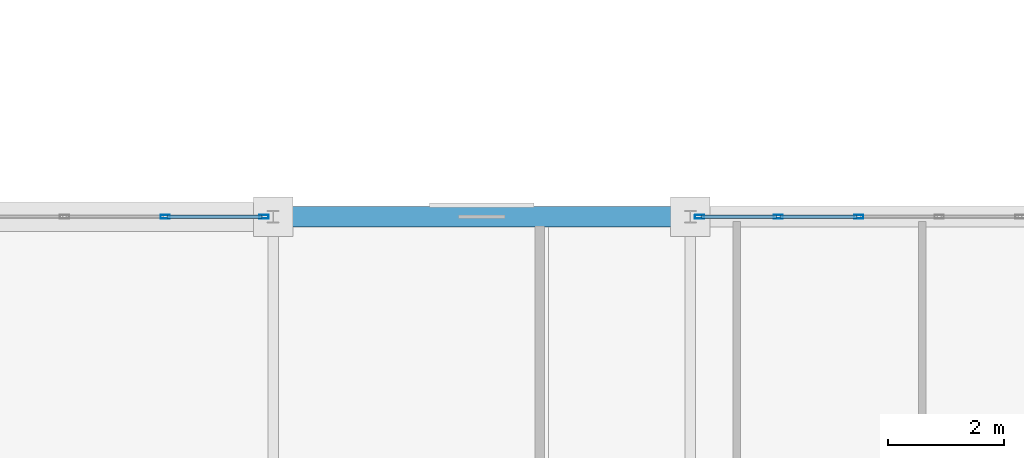
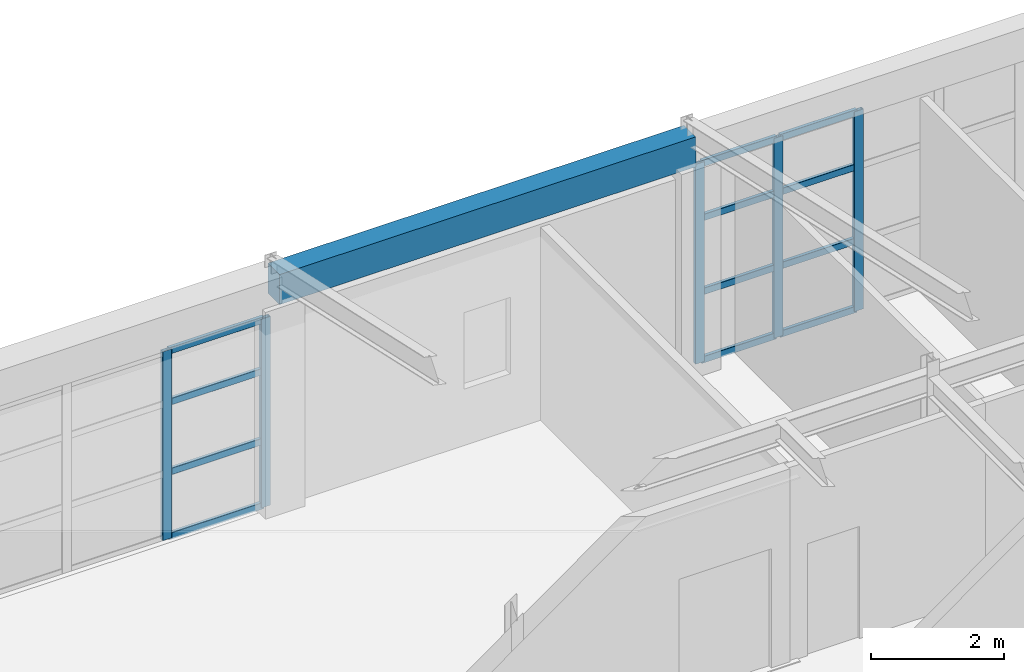
# One storey, part 68 of 101: 17 members, 1 beam, 2 elements without a shape of their own.
"""IFC4 building model written with IfcOpenShell, lengths in metres."""

from ifc_helpers import new_model, si_unit, direction, frame, origin, origin_2d, place, context, subcontext, project, spatial, rectangle, hollow_rectangle, extrude, material, layer, layer_set, material_profile, profile_set, type_object, element, aggregate, save


model = new_model("IFC4")

# Units and contexts
model_context = context("Model", 3, precision=1e-05, world=origin(), true_north=direction((0.0, 1.0)))
body_context = subcontext(model_context, "Body", "Model", "MODEL_VIEW")
ifc_project = project(units=[si_unit("LENGTHUNIT", "METRE"), si_unit("AREAUNIT", "SQUARE_METRE"), si_unit("VOLUMEUNIT", "CUBIC_METRE"), si_unit("PLANEANGLEUNIT", "RADIAN"), si_unit("MASSUNIT", "GRAM", prefix="KILO")], contexts=[model_context])

# Site, building, storey
site_placement = place(None, origin())
site = spatial("IfcSite", under=ifc_project, at=site_placement, CompositionType="ELEMENT")
building_placement = place(site_placement, origin())
building = spatial("IfcBuilding", under=site, at=building_placement, Name="Kemerveld Promenade Tramway Depot", CompositionType="ELEMENT")
storey_placement = place(building_placement, frame((0.0, 0.0, 9.89990234375)))
storey = spatial("IfcBuildingStorey", under=building, at=storey_placement, Name="L02", CompositionType="ELEMENT", Elevation=9.89990234375)

# Beam
ifc_material_1 = material(Name="Concrete C40/50", Category="concrete")
ifc_material_profile_1 = material_profile(ifc_material_1, rectangle(XDim=0.35009765625, YDim=0.550048828125, at=origin_2d()), Name="RC-BM-350x550")
ifc_profile_set_1 = profile_set([ifc_material_profile_1], Name="Concrete C40/50")
beam_type = type_object("IfcBeamType", Name="BM-RC3", PredefinedType="BEAM", material=ifc_profile_set_1)
beam_placement = place(storey_placement, frame((115.199951171875, 28.800048828125, 4.0), z_axis=(1.0, 0.0, 0.0), x_axis=(0.0, 1.0, 0.0)))
element("IfcBeam", 1, at=beam_placement, inside=storey, type_object=beam_type, Name="BMX-L02-17-18-E", PredefinedType="BEAM", context=body_context, shape_type="SweptSolid", body=[
    extrude(rectangle(XDim=0.35009765625, YDim=0.550048828125, at=origin_2d()), origin(), (0.0, 0.0, 1.0), 7.199951171875),
])

# Curtain wall, members
ifc_material_2 = material(Name="Bronze anodised aluminium and solar glass", Category="aluminium")
ifc_layer_1 = layer(ifc_material_2, 0.159912109375)
ifc_layer_set_1 = layer_set([ifc_layer_1], Name="CW-SYS-11")
curtain_wall_type_1 = type_object("IfcCurtainWallType", Name="CW-SYS-11", PredefinedType="USERDEFINED", material=ifc_layer_set_1)
curtain_wall_1_placement = place(storey_placement, origin())
curtain_wall_1 = element("IfcCurtainWall", 2, at=curtain_wall_1_placement, inside=storey, type_object=curtain_wall_type_1, Name="CW-L02-V4N-08", ObjectType="GLAZED_CURTAIN_WALL", PredefinedType="USERDEFINED")
ifc_material_3 = material(Name="Bronze anodised aluminium", Category="aluminium")
ifc_material_profile_2 = material_profile(ifc_material_3, hollow_rectangle(XDim=0.06494140625, YDim=0.159912109375, WallThickness=0.00390625, InnerFilletRadius=0.001953125, OuterFilletRadius=0.00390625, at=origin_2d()), Name="CW-MUL-160x65")
ifc_profile_set_2 = profile_set([ifc_material_profile_2], Name="Bronze anodised aluminium")
member_type_1 = type_object("IfcMemberType", Name="CW-MUL-A", PredefinedType="MULLION", material=ifc_profile_set_2)
member_1_placement = place(storey_placement, frame((113.337646484375, 28.800048828125, 0.0), z_axis=(0.0, 0.0, 1.0), x_axis=(0.0, 1.0, 0.0)))
member_1 = element("IfcMember", 3, at=member_1_placement, type_object=member_type_1, Name="CW11 mullion 4", PredefinedType="MULLION", context=body_context, shape_type="SweptSolid", body=[
    extrude(hollow_rectangle(XDim=0.06494140625, YDim=0.159912109375, WallThickness=0.00390625, InnerFilletRadius=0.001953125, OuterFilletRadius=0.00390625, at=origin_2d()), origin(), (0.0, 0.0, 1.0), 3.455078125),
])
member_2_placement = place(storey_placement, frame((115.042724609375, 28.800048828125, 0.0), z_axis=(0.0, 0.0, 1.0), x_axis=(0.0, 1.0, 0.0)))
member_2 = element("IfcMember", 4, at=member_2_placement, type_object=member_type_1, Name="CW11 mullion 5", PredefinedType="MULLION", context=body_context, shape_type="SweptSolid", body=[
    extrude(hollow_rectangle(XDim=0.06494140625, YDim=0.159912109375, WallThickness=0.00390625, InnerFilletRadius=0.001953125, OuterFilletRadius=0.00390625, at=origin_2d()), origin(), (0.0, 0.0, 1.0), 3.455078125),
])

ifc_layer_2 = layer(ifc_material_2, 0.159912109375)
ifc_layer_set_2 = layer_set([ifc_layer_2], Name="CW-SYS-13")
curtain_wall_type_2 = type_object("IfcCurtainWallType", Name="CW-SYS-13", PredefinedType="USERDEFINED", material=ifc_layer_set_2)
curtain_wall_2_placement = place(storey_placement, origin())
curtain_wall_2 = element("IfcCurtainWall", 5, at=curtain_wall_2_placement, inside=storey, type_object=curtain_wall_type_2, Name="CW-L02-V4N-10", ObjectType="GLAZED_CURTAIN_WALL", PredefinedType="USERDEFINED")
member_3_placement = place(storey_placement, frame((122.557373046875, 28.800048828125, 0.0), z_axis=(0.0, 0.0, 1.0), x_axis=(0.0, 1.0, 0.0)))
member_3 = element("IfcMember", 6, at=member_3_placement, type_object=member_type_1, Name="CW13 mullion 1", PredefinedType="MULLION", context=body_context, shape_type="SweptSolid", body=[
    extrude(hollow_rectangle(XDim=0.06494140625, YDim=0.159912109375, WallThickness=0.00390625, InnerFilletRadius=0.001953125, OuterFilletRadius=0.00390625, at=origin_2d()), origin(), (0.0, 0.0, 1.0), 3.655029296875),
])
member_4_placement = place(storey_placement, frame((123.914794921875, 28.800048828125, 0.0), z_axis=(0.0, 0.0, 1.0), x_axis=(0.0, 1.0, 0.0)))
member_4 = element("IfcMember", 7, at=member_4_placement, type_object=member_type_1, Name="CW13 mullion 2", PredefinedType="MULLION", context=body_context, shape_type="SweptSolid", body=[
    extrude(hollow_rectangle(XDim=0.06494140625, YDim=0.159912109375, WallThickness=0.00390625, InnerFilletRadius=0.001953125, OuterFilletRadius=0.00390625, at=origin_2d()), origin(), (0.0, 0.0, 1.0), 3.655029296875),
])
member_5_placement = place(storey_placement, frame((125.304931640625, 28.800048828125, 0.0), z_axis=(0.0, 0.0, 1.0), x_axis=(0.0, 1.0, 0.0)))
member_5 = element("IfcMember", 8, at=member_5_placement, type_object=member_type_1, Name="CW13 mullion 3", PredefinedType="MULLION", context=body_context, shape_type="SweptSolid", body=[
    extrude(hollow_rectangle(XDim=0.06494140625, YDim=0.159912109375, WallThickness=0.00390625, InnerFilletRadius=0.001953125, OuterFilletRadius=0.00390625, at=origin_2d()), origin(), (0.0, 0.0, 1.0), 3.655029296875),
])

# Member
ifc_material_profile_3 = material_profile(ifc_material_3, hollow_rectangle(XDim=0.06005859375, YDim=0.1201171875, WallThickness=0.00390625, InnerFilletRadius=0.001953125, OuterFilletRadius=0.00390625, at=origin_2d()), Name="CW-TRN-120x60")
ifc_profile_set_3 = profile_set([ifc_material_profile_3], Name="Bronze anodised aluminium")
member_type_2 = type_object("IfcMemberType", Name="CW-TRN-A", PredefinedType="USERDEFINED", material=ifc_profile_set_3)
member_6_placement = place(storey_placement, frame((113.3701171875, 28.800048828125, 0.030029296875), z_axis=(1.0, 0.0, 0.0), x_axis=(0.0, 1.0, 0.0)))
member_6 = element("IfcMember", 9, at=member_6_placement, type_object=member_type_2, Name="CW11 transom 4.1", ObjectType="TRANSOM", PredefinedType="USERDEFINED", context=body_context, shape_type="SweptSolid", body=[
    extrude(hollow_rectangle(XDim=0.06005859375, YDim=0.1201171875, WallThickness=0.00390625, InnerFilletRadius=0.001953125, OuterFilletRadius=0.00390625, at=origin_2d()), origin(), (0.0, 0.0, 1.0), 1.64013671875),
])

member_7_placement = place(storey_placement, frame((113.3701171875, 28.800048828125, 1.208984375), z_axis=(1.0, 0.0, 0.0), x_axis=(0.0, 1.0, 0.0)))
member_7 = element("IfcMember", 10, at=member_7_placement, type_object=member_type_2, Name="CW11 transom 4.2", ObjectType="TRANSOM", PredefinedType="USERDEFINED", context=body_context, shape_type="SweptSolid", body=[
    extrude(hollow_rectangle(XDim=0.06005859375, YDim=0.1201171875, WallThickness=0.00390625, InnerFilletRadius=0.001953125, OuterFilletRadius=0.00390625, at=origin_2d()), origin(), (0.0, 0.0, 1.0), 1.64013671875),
])

member_8_placement = place(storey_placement, frame((113.3701171875, 28.800048828125, 2.488037109375), z_axis=(1.0, 0.0, 0.0), x_axis=(0.0, 1.0, 0.0)))
member_8 = element("IfcMember", 11, at=member_8_placement, type_object=member_type_2, Name="CW11 transom 4.3", ObjectType="TRANSOM", PredefinedType="USERDEFINED", context=body_context, shape_type="SweptSolid", body=[
    extrude(hollow_rectangle(XDim=0.06005859375, YDim=0.1201171875, WallThickness=0.00390625, InnerFilletRadius=0.001953125, OuterFilletRadius=0.00390625, at=origin_2d()), origin(), (0.0, 0.0, 1.0), 1.64013671875),
])

member_9_placement = place(storey_placement, frame((113.3701171875, 28.800048828125, 3.425048828125), z_axis=(1.0, 0.0, 0.0), x_axis=(0.0, 1.0, 0.0)))
member_9 = element("IfcMember", 12, at=member_9_placement, type_object=member_type_2, Name="CW11 transom 4.4", ObjectType="TRANSOM", PredefinedType="USERDEFINED", context=body_context, shape_type="SweptSolid", body=[
    extrude(hollow_rectangle(XDim=0.06005859375, YDim=0.1201171875, WallThickness=0.00390625, InnerFilletRadius=0.001953125, OuterFilletRadius=0.00390625, at=origin_2d()), origin(), (0.0, 0.0, 1.0), 1.64013671875),
])

aggregate(curtain_wall_1, [member_1, member_2, member_6, member_7, member_8, member_9])

member_10_placement = place(storey_placement, frame((122.58984375, 28.800048828125, 0.030029296875), z_axis=(1.0, 0.0, 0.0), x_axis=(0.0, 1.0, 0.0)))
member_10 = element("IfcMember", 13, at=member_10_placement, type_object=member_type_2, Name="CW13 transom 1.1", ObjectType="TRANSOM", PredefinedType="USERDEFINED", context=body_context, shape_type="SweptSolid", body=[
    extrude(hollow_rectangle(XDim=0.06005859375, YDim=0.1201171875, WallThickness=0.00390625, InnerFilletRadius=0.001953125, OuterFilletRadius=0.00390625, at=origin_2d()), origin(), (0.0, 0.0, 1.0), 1.29248046875),
])

member_11_placement = place(storey_placement, frame((122.58984375, 28.800048828125, 1.279052734375), z_axis=(1.0, 0.0, 0.0), x_axis=(0.0, 1.0, 0.0)))
member_11 = element("IfcMember", 14, at=member_11_placement, type_object=member_type_2, Name="CW13 transom 1.2", ObjectType="TRANSOM", PredefinedType="USERDEFINED", context=body_context, shape_type="SweptSolid", body=[
    extrude(hollow_rectangle(XDim=0.06005859375, YDim=0.1201171875, WallThickness=0.00390625, InnerFilletRadius=0.001953125, OuterFilletRadius=0.00390625, at=origin_2d()), origin(), (0.0, 0.0, 1.0), 1.29248046875),
])

member_12_placement = place(storey_placement, frame((122.58984375, 28.800048828125, 2.632080078125), z_axis=(1.0, 0.0, 0.0), x_axis=(0.0, 1.0, 0.0)))
member_12 = element("IfcMember", 15, at=member_12_placement, type_object=member_type_2, Name="CW13 transom 1.3", ObjectType="TRANSOM", PredefinedType="USERDEFINED", context=body_context, shape_type="SweptSolid", body=[
    extrude(hollow_rectangle(XDim=0.06005859375, YDim=0.1201171875, WallThickness=0.00390625, InnerFilletRadius=0.001953125, OuterFilletRadius=0.00390625, at=origin_2d()), origin(), (0.0, 0.0, 1.0), 1.29248046875),
])

member_13_placement = place(storey_placement, frame((122.58984375, 28.800048828125, 3.625), z_axis=(1.0, 0.0, 0.0), x_axis=(0.0, 1.0, 0.0)))
member_13 = element("IfcMember", 16, at=member_13_placement, type_object=member_type_2, Name="CW13 transom 1.4", ObjectType="TRANSOM", PredefinedType="USERDEFINED", context=body_context, shape_type="SweptSolid", body=[
    extrude(hollow_rectangle(XDim=0.06005859375, YDim=0.1201171875, WallThickness=0.00390625, InnerFilletRadius=0.001953125, OuterFilletRadius=0.00390625, at=origin_2d()), origin(), (0.0, 0.0, 1.0), 1.29248046875),
])

member_14_placement = place(storey_placement, frame((123.947265625, 28.800048828125, 0.030029296875), z_axis=(1.0, 0.0, 0.0), x_axis=(0.0, 1.0, 0.0)))
member_14 = element("IfcMember", 17, at=member_14_placement, type_object=member_type_2, Name="CW13 transom 2.1", ObjectType="TRANSOM", PredefinedType="USERDEFINED", context=body_context, shape_type="SweptSolid", body=[
    extrude(hollow_rectangle(XDim=0.06005859375, YDim=0.1201171875, WallThickness=0.00390625, InnerFilletRadius=0.001953125, OuterFilletRadius=0.00390625, at=origin_2d()), origin(), (0.0, 0.0, 1.0), 1.3251953125),
])

member_15_placement = place(storey_placement, frame((123.947265625, 28.800048828125, 1.279052734375), z_axis=(1.0, 0.0, 0.0), x_axis=(0.0, 1.0, 0.0)))
member_15 = element("IfcMember", 18, at=member_15_placement, type_object=member_type_2, Name="CW13 transom 2.2", ObjectType="TRANSOM", PredefinedType="USERDEFINED", context=body_context, shape_type="SweptSolid", body=[
    extrude(hollow_rectangle(XDim=0.06005859375, YDim=0.1201171875, WallThickness=0.00390625, InnerFilletRadius=0.001953125, OuterFilletRadius=0.00390625, at=origin_2d()), origin(), (0.0, 0.0, 1.0), 1.3251953125),
])

member_16_placement = place(storey_placement, frame((123.947265625, 28.800048828125, 2.632080078125), z_axis=(1.0, 0.0, 0.0), x_axis=(0.0, 1.0, 0.0)))
member_16 = element("IfcMember", 19, at=member_16_placement, type_object=member_type_2, Name="CW13 transom 2.3", ObjectType="TRANSOM", PredefinedType="USERDEFINED", context=body_context, shape_type="SweptSolid", body=[
    extrude(hollow_rectangle(XDim=0.06005859375, YDim=0.1201171875, WallThickness=0.00390625, InnerFilletRadius=0.001953125, OuterFilletRadius=0.00390625, at=origin_2d()), origin(), (0.0, 0.0, 1.0), 1.3251953125),
])

member_17_placement = place(storey_placement, frame((123.947265625, 28.800048828125, 3.625), z_axis=(1.0, 0.0, 0.0), x_axis=(0.0, 1.0, 0.0)))
member_17 = element("IfcMember", 20, at=member_17_placement, type_object=member_type_2, Name="CW13 transom 2.4", ObjectType="TRANSOM", PredefinedType="USERDEFINED", context=body_context, shape_type="SweptSolid", body=[
    extrude(hollow_rectangle(XDim=0.06005859375, YDim=0.1201171875, WallThickness=0.00390625, InnerFilletRadius=0.001953125, OuterFilletRadius=0.00390625, at=origin_2d()), origin(), (0.0, 0.0, 1.0), 1.3251953125),
])

aggregate(curtain_wall_2, [member_3, member_4, member_5, member_10, member_11, member_12, member_13, member_14, member_15, member_16, member_17])

save(model, "model.ifc")
